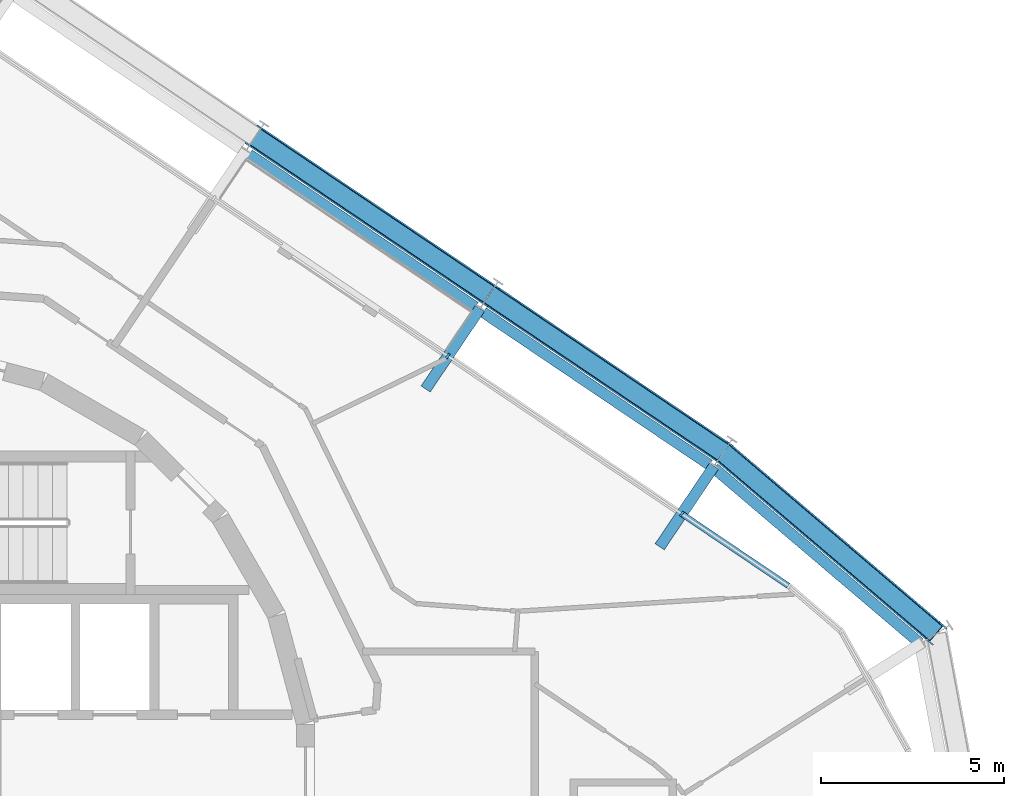
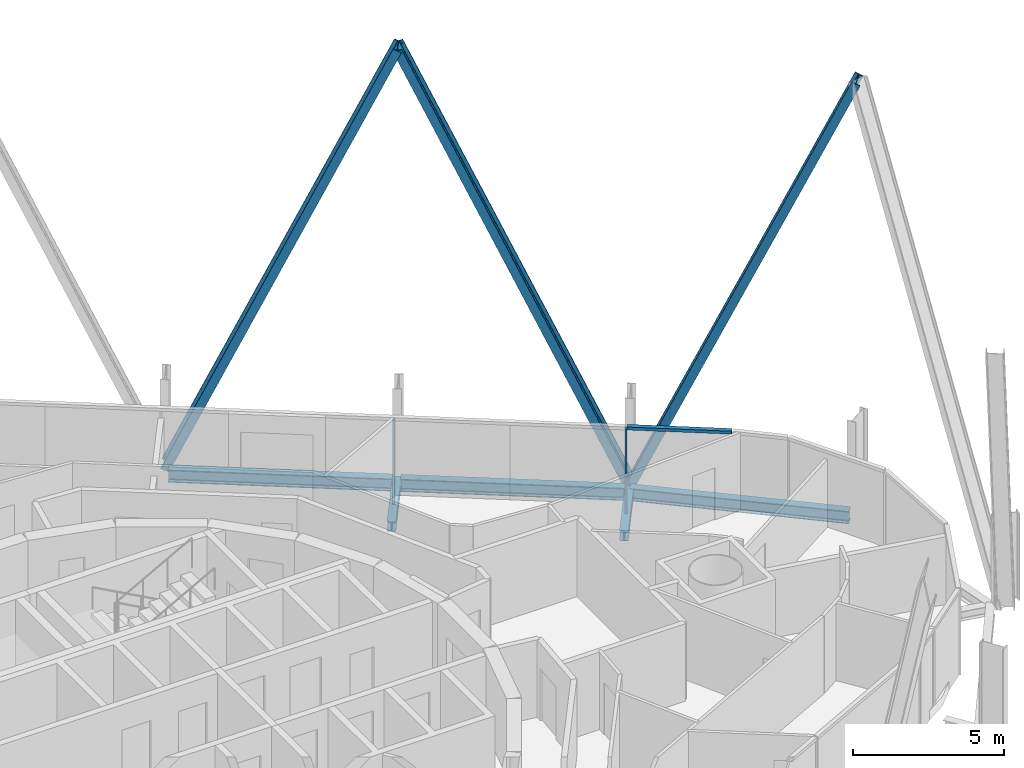
# One storey, part 9 of 18: 6 members, 5 beams, 2 elements without a shape of their own.
"""IFC4 building model written with IfcOpenShell, lengths in metres."""

from ifc_helpers import new_model, si_unit, direction, frame, origin, origin_2d, place, context, subcontext, project, spatial, rectangle, i_section, extrude, material, layer, layer_set, material_profile, profile_set, type_object, element, aggregate, save


model = new_model("IFC4")

# Units and contexts
model_context = context("Model", 3, precision=1e-05, world=origin(), true_north=direction((0.0, 1.0)))
body_context = subcontext(model_context, "Body", "Model", "MODEL_VIEW")
ifc_project = project(units=[si_unit("LENGTHUNIT", "METRE"), si_unit("AREAUNIT", "SQUARE_METRE"), si_unit("VOLUMEUNIT", "CUBIC_METRE"), si_unit("PLANEANGLEUNIT", "RADIAN"), si_unit("MASSUNIT", "GRAM", prefix="KILO")], contexts=[model_context])

# Site, building, storey
site_placement = place(None, origin())
site = spatial("IfcSite", under=ifc_project, at=site_placement, CompositionType="ELEMENT")
building_placement = place(site_placement, origin())
building = spatial("IfcBuilding", under=site, at=building_placement, Name="Spindle Arch Residences", CompositionType="ELEMENT")
storey_placement = place(building_placement, frame((0.0, 0.0, 202.39990234375)))
storey = spatial("IfcBuildingStorey", under=building, at=storey_placement, Name="L51", CompositionType="ELEMENT", Elevation=202.39990234375)

# Curtain wall, members
ifc_material_1 = material(Name="Aluminium bronze unitised frame with tinted glass", Category="aluminium")
ifc_layer_1 = layer(ifc_material_1, 0.159912109375)
ifc_layer_set_1 = layer_set([ifc_layer_1], Name="CW-C typical residential unitised wall")
curtain_wall_type_1 = type_object("IfcCurtainWallType", Name="CW-C typical residential unitised wall", PredefinedType="NOTDEFINED", material=ifc_layer_set_1)
curtain_wall_1_placement = place(storey_placement, origin())
curtain_wall_1 = element("IfcCurtainWall", 1, at=curtain_wall_1_placement, inside=storey, type_object=curtain_wall_type_1, Name="CW-C L51 run 2", PredefinedType="NOTDEFINED")
ifc_material_2 = material(Name="Aluminium bronze anodised mullion", Category="aluminium")
ifc_material_profile_1 = material_profile(ifc_material_2, rectangle(XDim=0.159912109375, YDim=0.06005859375, at=origin_2d()), Name="MU 60x160")
ifc_profile_set_1 = profile_set([ifc_material_profile_1], Name="Aluminium bronze anodised mullion")
member_type_1 = type_object("IfcMemberType", Name="Bronze mullion 60x160", PredefinedType="MULLION", material=ifc_profile_set_1)
member_1_placement = place(storey_placement, frame((21.905029296875, 7.25146484375, -0.3798828125), z_axis=(0.0, 0.0, 1.0), x_axis=(-0.559192903471, -0.829037572555, 0.0)))
member_1 = element("IfcMember", 2, at=member_1_placement, type_object=member_type_1, Name="CW-C mullion 05", PredefinedType="MULLION", context=body_context, shape_type="SweptSolid", body=[
    extrude(rectangle(XDim=0.159912109375, YDim=0.06005859375, at=origin_2d()), origin(), (0.0, 0.0, 1.0), 3.3798828125),
])
member_2_placement = place(storey_placement, frame((15.526611328125, 11.5537109375, -0.3798828125), z_axis=(0.0, 0.0, 1.0), x_axis=(-0.559192903471, -0.829037572555, 0.0)))
member_2 = element("IfcMember", 3, at=member_2_placement, type_object=member_type_1, Name="CW-C mullion 06", PredefinedType="MULLION", context=body_context, shape_type="SweptSolid", body=[
    extrude(rectangle(XDim=0.159912109375, YDim=0.06005859375, at=origin_2d()), origin(), (0.0, 0.0, 1.0), 3.3798828125),
])
aggregate(curtain_wall_1, [member_1, member_2])

# Curtain wall, member
ifc_material_3 = material(Name="Aluminium bronze unitised frame with tinted glass", Category="aluminium")
ifc_layer_2 = layer(ifc_material_3, 0.159912109375)
ifc_layer_set_2 = layer_set([ifc_layer_2], Name="CW-D corner wall on the fillet arcs")
curtain_wall_type_2 = type_object("IfcCurtainWallType", Name="CW-D corner wall on the fillet arcs", PredefinedType="NOTDEFINED", material=ifc_layer_set_2)
curtain_wall_2_placement = place(storey_placement, origin())
curtain_wall_2 = element("IfcCurtainWall", 4, at=curtain_wall_2_placement, inside=storey, type_object=curtain_wall_type_2, Name="CW-D L51 run 1", PredefinedType="NOTDEFINED")
ifc_material_4 = material(Name="Aluminium bronze anodised transom", Category="aluminium")
ifc_material_profile_2 = material_profile(ifc_material_4, rectangle(XDim=0.159912109375, YDim=0.1201171875, at=origin_2d()), Name="TR 120x160")
ifc_profile_set_2 = profile_set([ifc_material_profile_2], Name="Aluminium bronze anodised transom")
member_type_2 = type_object("IfcMemberType", Name="Bronze transom 120x160", PredefinedType="USERDEFINED", material=ifc_profile_set_2)
member_3_placement = place(storey_placement, frame((24.805419921875, 5.295166015625, 3.06005859375), z_axis=(-0.829049362711, 0.559175423448, 0.0), x_axis=(-0.559175423448, -0.829049362711, 0.0)))
member_3 = element("IfcMember", 5, at=member_3_placement, type_object=member_type_2, Name="CW-D transom 06", ObjectType="TRANSOM", PredefinedType="USERDEFINED", context=body_context, shape_type="SweptSolid", body=[
    extrude(rectangle(XDim=0.159912109375, YDim=0.1201171875, at=origin_2d()), origin(), (0.0, 0.0, 1.0), 3.468505859375),
])
aggregate(curtain_wall_2, [member_3])

# Members
ifc_material_5 = material(Name="Steel S460ML, intumescent coating R 240", Category="steel")
ifc_material_profile_3 = material_profile(ifc_material_5, i_section(OverallWidth=0.304931640625, OverallDepth=0.6201171875, WebThickness=0.02099609375, FlangeThickness=0.0400390625, FilletRadius=0.027099609375, at=origin_2d()), Name="HEM 600")
ifc_profile_set_3 = profile_set([ifc_material_profile_3], Name="Steel S460ML, intumescent coating R 240")
member_type_3 = type_object("IfcMemberType", Name="Diagrid diagonal HEM 600", PredefinedType="BRACE", material=ifc_profile_set_3)
member_4_placement = place(storey_placement, frame((23.03466796875, 8.926025390625, -0.6298828125), z_axis=(0.307598319304, -0.261577534942, 0.914855435124), x_axis=(-0.696931299972, 0.592661142893, 0.403781540966)))
element("IfcMember", 6, at=member_4_placement, inside=storey, type_object=member_type_3, Name="Diagrid diagonal 5.2.5", PredefinedType="BRACE", context=body_context, shape_type="SweptSolid", body=[
    extrude(i_section(OverallWidth=0.304931640625, OverallDepth=0.6201171875, WebThickness=0.02099609375, FlangeThickness=0.0400390625, FilletRadius=0.027099609375, at=origin_2d()), origin(), (0.0, 0.0, 1.0), 18.880615234375),
])
for number, where, z_axis, x_axis, name in (
    (7, (23.03466796875, 8.926025390625, -0.6298828125), (-0.337322731609, 0.227524350318, 0.91348018301), (0.757312208919, -0.510807461746, 0.406883220651), "Diagrid diagonal 5.2.6"),
    (8, (10.27783203125, 17.530517578125, -0.6298828125), (0.337322731609, -0.227524350318, 0.91348018301), (-0.757312208919, 0.510807461746, 0.406883220651), "Diagrid diagonal 5.2.7"),
):
    element("IfcMember", number, at=place(storey_placement, frame(where, z_axis=z_axis, x_axis=x_axis)), inside=storey, type_object=member_type_3, Name=name, PredefinedType="BRACE", context=body_context, shape_type="SweptSolid", body=[
        extrude(i_section(OverallWidth=0.304931640625, OverallDepth=0.6201171875, WebThickness=0.02099609375, FlangeThickness=0.0400390625, FilletRadius=0.027099609375, at=origin_2d()), origin(), (0.0, 0.0, 1.0), 18.908935546875),
    ])

# Beams
ifc_material_6 = material(Name="Steel S460ML, intumescent coating R 120", Category="steel")
ifc_material_profile_4 = material_profile(ifc_material_6, i_section(OverallWidth=0.300048828125, OverallDepth=0.5, WebThickness=0.014404296875, FlangeThickness=0.028076171875, FilletRadius=0.027099609375, at=origin_2d()), Name="HEB 500")
ifc_profile_set_4 = profile_set([ifc_material_profile_4], Name="Steel S460ML, intumescent coating R 120")
beam_type_1 = type_object("IfcBeamType", Name="Exoskeleton edge beam HEB 500", PredefinedType="BEAM", material=ifc_profile_set_4)
beam_placement = place(storey_placement, frame((28.39208984375, 3.72998046875, -0.6298828125), z_axis=(-0.761813327651, 0.647796614543, 0.0), x_axis=(-0.647796614543, -0.761813327651, 0.0)))
element("IfcBeam", 9, at=beam_placement, inside=storey, type_object=beam_type_1, Name="Exoskeleton edge beam 5", PredefinedType="BEAM", context=body_context, shape_type="SweptSolid", body=[
    extrude(i_section(OverallWidth=0.300048828125, OverallDepth=0.5, WebThickness=0.014404296875, FlangeThickness=0.028076171875, FilletRadius=0.027099609375, at=origin_2d()), origin(), (0.0, 0.0, 1.0), 7.36376953125),
])
for number, where, z_axis, x_axis, name in (
    (10, (22.65283203125, 8.592529296875, -0.6298828125), (-0.829031763913, 0.55920151504, 0.0), (-0.55920151504, -0.829031763913, 0.0), "Exoskeleton edge beam 6"),
    (11, (16.2744140625, 12.894775390625, -0.6298828125), (-0.829031763913, 0.55920151504, 0.0), (-0.55920151504, -0.829031763913, 0.0), "Exoskeleton edge beam 7"),
):
    element("IfcBeam", number, at=place(storey_placement, frame(where, z_axis=z_axis, x_axis=x_axis)), inside=storey, type_object=beam_type_1, Name=name, PredefinedType="BEAM", context=body_context, shape_type="SweptSolid", body=[
        extrude(i_section(OverallWidth=0.300048828125, OverallDepth=0.5, WebThickness=0.014404296875, FlangeThickness=0.028076171875, FilletRadius=0.027099609375, at=origin_2d()), origin(), (0.0, 0.0, 1.0), 7.433837890625),
    ])
ifc_material_7 = material(Name="Steel S460ML, intumescent coating R 120", Category="steel")
ifc_material_profile_5 = material_profile(ifc_material_7, i_section(OverallWidth=0.300048828125, OverallDepth=0.389892578125, WebThickness=0.010986328125, FlangeThickness=0.01904296875, FilletRadius=0.027099609375, at=origin_2d()), Name="HEA 400")
ifc_profile_set_5 = profile_set([ifc_material_profile_5], Name="Steel S460ML, intumescent coating R 120")
beam_type_2 = type_object("IfcBeamType", Name="Floor outrigger HEA 400", PredefinedType="BEAM", material=ifc_profile_set_5)
for number, where, z_axis, x_axis, name in (
    (12, (22.782958984375, 8.552978515625, -0.574951171875), (-0.559199099546, -0.829033393216, 0.0), (0.829033393216, -0.559199099546, 0.0), "Floor outrigger 6"),
    (13, (16.404541015625, 12.855224609375, -0.574951171875), (-0.559199099546, -0.829033393216, 0.0), (0.829033393216, -0.559199099546, 0.0), "Floor outrigger 7"),
):
    element("IfcBeam", number, at=place(storey_placement, frame(where, z_axis=z_axis, x_axis=x_axis)), inside=storey, type_object=beam_type_2, Name=name, PredefinedType="BEAM", context=body_context, shape_type="SweptSolid", body=[
        extrude(i_section(OverallWidth=0.300048828125, OverallDepth=0.389892578125, WebThickness=0.010986328125, FlangeThickness=0.01904296875, FilletRadius=0.027099609375, at=origin_2d()), origin(), (0.0, 0.0, 1.0), 2.650146484375),
    ])

save(model, "model.ifc")
